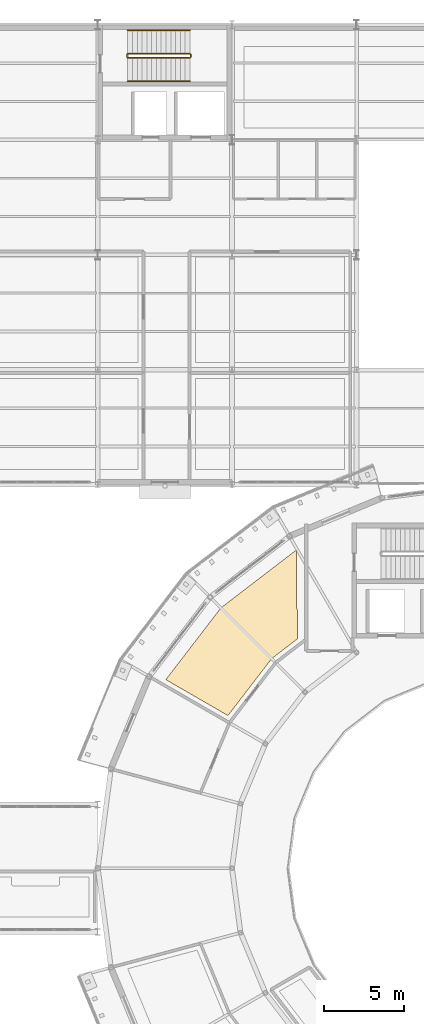
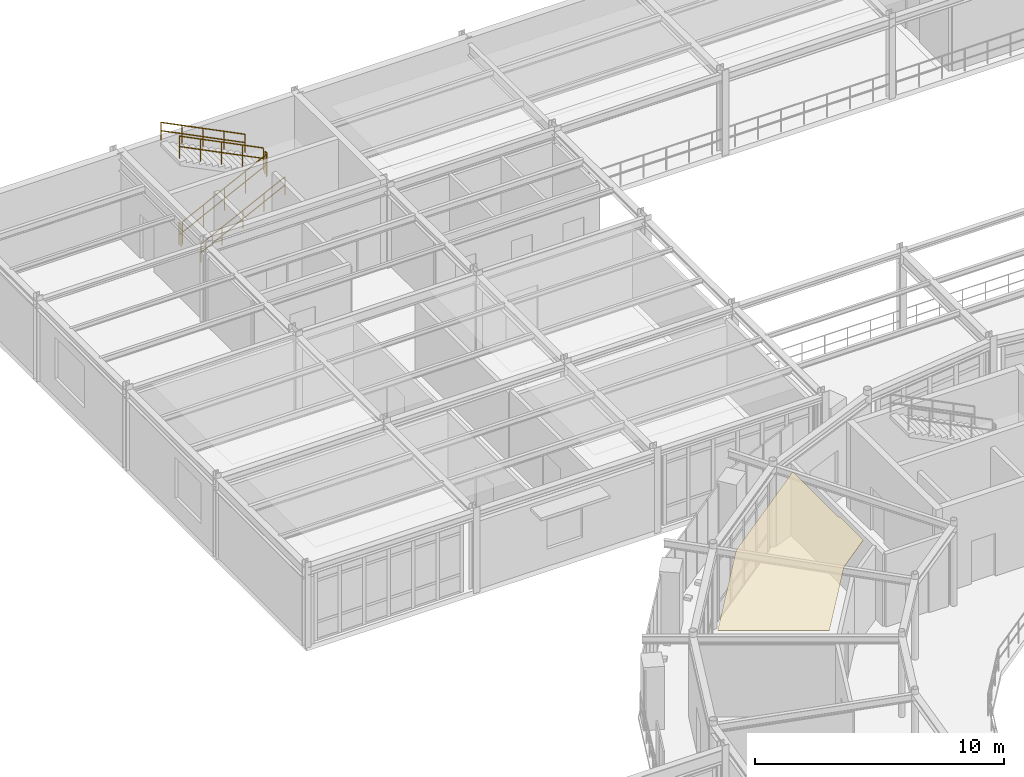
# One storey, part 86 of 90: 6 railings, 1 covering.
"""IFC4 building model written with IfcOpenShell, lengths in metres."""

import ifcopenshell
import ifcopenshell.guid

model = None  # the IFC model being written
_history = None  # IfcOwnerHistory: only IFC2X3 demands one
_inside = {}  # id of a spatial element -> (the spatial element, [elements in it])
_under = {}  # id of a project, library or spatial element -> (it, [spatial elements below it])
_declared = {}  # id of a project -> (the project, [libraries it declares])
_typed = {}  # id of a type object -> (the type object, [elements of that type])
_made_of = {}  # id of a material, layer set ... -> (it, [elements and type objects made of it])


def new_model(schema):
    """Start an empty IFC model of exactly this schema.

    Asked for "IFC4X3", IfcOpenShell would pick the latest addendum, in which some entities
    have other attributes; the version numbers below select the first issue.
    IFC2X3 requires an IfcOwnerHistory on every rooted entity: one is made here for all.
    """
    global model, _history
    if schema == "IFC4X3":
        model = ifcopenshell.file(schema_version=(4, 3, 0, 0))
    else:
        model = ifcopenshell.file(schema=schema)
    _inside.clear()
    _under.clear()
    _declared.clear()
    _typed.clear()
    _made_of.clear()
    _history = None
    if model.schema == "IFC2X3":
        org = make("IfcOrganization", Name="unknown")
        user = make(
            "IfcPersonAndOrganization",
            ThePerson=make("IfcPerson", FamilyName="unknown"),
            TheOrganization=org,
        )
        app = make(
            "IfcApplication",
            ApplicationDeveloper=org,
            Version="unknown",
            ApplicationFullName="unknown",
            ApplicationIdentifier="unknown",
        )
        _history = make(
            "IfcOwnerHistory",
            OwningUser=user,
            OwningApplication=app,
            ChangeAction="ADDED",
            CreationDate=0,
        )
    return model


def make(cls, **values):
    """One entity of the class cls with the attributes given. An attribute that is None is left unset."""
    return model.create_entity(
        cls, **{name: value for name, value in values.items() if value is not None}
    )


def rooted(cls, **values):
    """An entity with a GlobalId (a new one), such as an element, a storey or a relation."""
    return make(cls, GlobalId=ifcopenshell.guid.new(), OwnerHistory=_history, **values)


def si_unit(unit_type, name, prefix=None):
    """IfcSIUnit, for example si_unit("LENGTHUNIT", "METRE", prefix="MILLI")."""
    return make("IfcSIUnit", UnitType=unit_type, Prefix=prefix, Name=name)


def derived_unit(unit_type, elements):
    """IfcDerivedUnit: a product of units, each with its exponent."""
    return make(
        "IfcDerivedUnit",
        Elements=[
            make("IfcDerivedUnitElement", Unit=unit, Exponent=power)
            for unit, power in elements
        ],
        UnitType=unit_type,
    )


def assignment(units):
    """IfcUnitAssignment: the units of a project."""
    return None if units is None else make("IfcUnitAssignment", Units=units)


def point(xyz):
    """IfcCartesianPoint."""
    return None if xyz is None else make("IfcCartesianPoint", Coordinates=xyz)


def direction(xyz):
    """IfcDirection."""
    return None if xyz is None else make("IfcDirection", DirectionRatios=xyz)


def frame(location, z_axis=None, x_axis=None):
    """IfcAxis2Placement3D, a coordinate frame: its origin and axes. An axis left out is left unset."""
    return make(
        "IfcAxis2Placement3D",
        Location=point(location),
        Axis=direction(z_axis),
        RefDirection=direction(x_axis),
    )


def frame_2d(location, x_axis=None):
    """IfcAxis2Placement2D, a coordinate frame in the plane: its origin and x axis."""
    return make(
        "IfcAxis2Placement2D", Location=point(location), RefDirection=direction(x_axis)
    )


def origin():
    """The frame at (0, 0, 0) with its axes left unset."""
    return frame((0.0, 0.0, 0.0))


def origin_2d():
    """The frame at (0, 0) in the plane with its x axis left unset."""
    return frame_2d((0.0, 0.0))


def place(relative_to, where):
    """IfcLocalPlacement: puts the frame where relative to a parent placement (None: the world)."""
    return make(
        "IfcLocalPlacement", PlacementRelTo=relative_to, RelativePlacement=where
    )


def context(
    kind, dimensions, precision=None, world=None, true_north=None, identifier=None
):
    """IfcGeometricRepresentationContext, for example the 3D "Model" context."""
    return make(
        "IfcGeometricRepresentationContext",
        ContextIdentifier=identifier,
        ContextType=kind,
        CoordinateSpaceDimension=dimensions,
        Precision=precision,
        WorldCoordinateSystem=world,
        TrueNorth=true_north,
    )


def subcontext(parent, identifier, kind, view, scale=None):
    """IfcGeometricRepresentationSubContext, for example "Body" below "Model"."""
    return make(
        "IfcGeometricRepresentationSubContext",
        ContextIdentifier=identifier,
        ContextType=kind,
        ParentContext=parent,
        TargetScale=scale,
        TargetView=view,
    )


def project(units=None, contexts=None):
    """IfcProject with its units and contexts."""
    return rooted(
        "IfcProject",
        Name="project",
        RepresentationContexts=contexts,
        UnitsInContext=assignment(units),
    )


def spatial(cls, under=None, at=None, **own):
    """A site, building, storey or space (cls), placed at a placement, below another one or the project."""
    s = rooted(cls, ObjectPlacement=at, **own)
    if under is not None:
        _under.setdefault(under.id(), (under, []))[1].append(s)
    return s


def polyline(points):
    """IfcPolyline through the points."""
    return make("IfcPolyline", Points=[point(p) for p in points])


def profile(cls, at=None, kind="AREA", **sizes):
    """A parametric profile (cls). Its sizes go by their IFC names, for example OverallWidth=200.0."""
    return make(cls, ProfileType=kind, Position=at, **sizes)


def circle(**sizes):
    """IfcCircleProfileDef."""
    return profile("IfcCircleProfileDef", **sizes)


def outline(outer, holes=None, kind="AREA"):
    """IfcArbitraryClosedProfileDef: a profile drawn as a closed curve; with holes, ...WithVoids."""
    if holes is None:
        return make("IfcArbitraryClosedProfileDef", ProfileType=kind, OuterCurve=outer)
    return make(
        "IfcArbitraryProfileDefWithVoids",
        ProfileType=kind,
        OuterCurve=outer,
        InnerCurves=holes,
    )


def extrude(swept, where, along, depth):
    """IfcExtrudedAreaSolid: the profile swept, set in the frame where, extruded along a direction by depth."""
    return make(
        "IfcExtrudedAreaSolid",
        SweptArea=swept,
        Position=where,
        ExtrudedDirection=direction(along),
        Depth=depth,
    )


def shape(context_of_items, identifier, shape_type, items):
    """IfcShapeRepresentation: the items that make up one representation, for example the "Body"."""
    return make(
        "IfcShapeRepresentation",
        ContextOfItems=context_of_items,
        RepresentationIdentifier=identifier,
        RepresentationType=shape_type,
        Items=items,
    )


def material(Name=None, Category=None):
    """IfcMaterial."""
    return make("IfcMaterial", Name=Name, Category=Category)


def layer(
    of_material, thickness, ventilated=None, Name=None, Category=None, Priority=None
):
    """IfcMaterialLayer: one layer of a wall or slab, of a material (None: an air gap)."""
    return make(
        "IfcMaterialLayer",
        Material=of_material,
        LayerThickness=thickness,
        IsVentilated=ventilated,
        Name=Name,
        Category=Category,
        Priority=Priority,
    )


def layer_set(layers, Name=None):
    """IfcMaterialLayerSet."""
    return make("IfcMaterialLayerSet", MaterialLayers=layers, LayerSetName=Name)


def made_of(thing, what):
    """Note that an element or type object is made of a material, layer set ...; save() writes the relation."""
    if what is not None:
        _made_of.setdefault(what.id(), (what, []))[1].append(thing)
    return thing


def type_object(cls, material=None, **own):
    """A type object (cls), such as IfcWallType, which elements share."""
    return made_of(rooted(cls, **own), material)


def element(
    cls,
    number,
    at=None,
    inside=None,
    cuts=None,
    type_object=None,
    material=None,
    context=None,
    identifier="Body",
    shape_type=None,
    held_by="IfcProductDefinitionShape",
    body=None,
    shapes=None,
    **own,
):
    """One element of the class cls, such as IfcWall. Its Tag is "e" and its number.

    at: its placement. inside: the storey or other place that contains it. cuts: it is an
    opening in that element (IfcRelVoidsElement). A single representation is given by context,
    identifier, shape_type and body (its items); several are given by shapes. held_by: the class
    of the entity that holds the representations. save() writes the other relations.
    """
    e = rooted(cls, Tag="e%d" % number, ObjectPlacement=at, **own)
    if body is not None:
        shapes = [shape(context, identifier, shape_type, body)]
    if shapes is not None:
        e.Representation = make(held_by, Representations=shapes)
    if inside is not None:
        _inside.setdefault(inside.id(), (inside, []))[1].append(e)
    if cuts is not None:
        rooted(
            "IfcRelVoidsElement", RelatingBuildingElement=cuts, RelatedOpeningElement=e
        )
    if type_object is not None:
        _typed.setdefault(type_object.id(), (type_object, []))[1].append(e)
    return made_of(e, material)


def aggregate(whole, parts):
    """IfcRelAggregates: a whole, such as a stair, and the parts it consists of."""
    return rooted("IfcRelAggregates", RelatingObject=whole, RelatedObjects=parts)


def save(model, path):
    """Write the relations noted so far, then the file.

    IfcRelAggregates (storeys below a building ...), IfcRelContainedInSpatialStructure (elements
    in a storey), IfcRelDefinesByType, IfcRelAssociatesMaterial and IfcRelDeclares: one each for
    every whole, place, type object, material and project.
    """
    for whole, parts in _under.values():
        aggregate(whole, parts)
    for where, things in _inside.values():
        rooted(
            "IfcRelContainedInSpatialStructure",
            RelatedElements=things,
            RelatingStructure=where,
        )
    for kind, things in _typed.values():
        rooted("IfcRelDefinesByType", RelatedObjects=things, RelatingType=kind)
    for what, things in _made_of.values():
        rooted("IfcRelAssociatesMaterial", RelatedObjects=things, RelatingMaterial=what)
    for by, libraries in _declared.values():
        rooted("IfcRelDeclares", RelatingContext=by, RelatedDefinitions=libraries)
    model.write(path)


model = new_model("IFC4")

# Units and contexts
model_context = context("Model", 3, precision=1e-05, world=origin(), true_north=direction((0.0, 1.0)))
body_context = subcontext(model_context, "Body", "Model", "MODEL_VIEW")
ifc_project = project(units=[si_unit("LENGTHUNIT", "METRE"), si_unit("AREAUNIT", "SQUARE_METRE"), si_unit("VOLUMEUNIT", "CUBIC_METRE"), si_unit("PLANEANGLEUNIT", "RADIAN"), si_unit("MASSUNIT", "GRAM", prefix="KILO"), derived_unit("THERMALTRANSMITTANCEUNIT", [(si_unit("POWERUNIT", "WATT"), 1), (si_unit("AREAUNIT", "SQUARE_METRE"), -1), (si_unit("THERMODYNAMICTEMPERATUREUNIT", "KELVIN"), -1)])], contexts=[model_context])

# Site, building, storey
site_placement = place(None, origin())
site = spatial("IfcSite", under=ifc_project, at=site_placement, CompositionType="ELEMENT")
building_placement = place(site_placement, origin())
building = spatial("IfcBuilding", under=site, at=building_placement, Name="Yasenodar Specialist Clinic", CompositionType="ELEMENT")
storey_placement = place(building_placement, frame((0.0, 0.0, 9.0)))
storey = spatial("IfcBuildingStorey", under=building, at=storey_placement, Name="L02", CompositionType="ELEMENT", Elevation=9.0)

# Covering
ifc_material_1 = material(Name="Hygienic Acoustic Mineral-Fibre Ceiling")
ifc_layer = layer(ifc_material_1, 0.02490234375)
ifc_layer_set = layer_set([ifc_layer], Name="Hygienic Acoustic Mineral-Fibre Ceiling")
covering_type = type_object("IfcCoveringType", Name="COV-CEIL-AC", PredefinedType="CEILING", material=ifc_layer_set)
covering_placement = place(storey_placement, frame((0.0, 0.0, 3.925048828125)))
element("IfcCovering", 1, at=covering_placement, inside=storey, type_object=covering_type, Name="L02 Pain Management Infusion Suite Acoustic Ceiling", PredefinedType="CEILING", context=body_context, shape_type="SweptSolid", body=[
    extrude(outline(polyline([(67.873046875, 71.906005859375), (67.85302734375, 71.882080078125), (65.14697265625, 68.35693359375), (61.256103515625, 70.60400390625), (64.702880859375, 75.096923828125), (69.429931640625, 78.72412109375), (69.429931640625, 75.179931640625), (69.431884765625, 75.14599609375), (69.43701171875, 75.112060546875), (69.445068359375, 75.077880859375), (69.45703125, 75.0458984375), (69.470947265625, 75.014892578125), (69.489013671875, 74.986083984375), (69.5, 74.970947265625), (69.5, 73.160888671875), (67.91796875, 71.947021484375), (67.89404296875, 71.927001953125), (67.873046875, 71.906005859375)])), origin(), (0.0, 0.0, 1.0), 0.02490234375),
])

# Railings
ifc_material_2 = material(Name="Steel S355 Painted Stair Guardrail", Category="steel")
railing_type_1 = type_object("IfcRailingType", Name="RL-ST-GRD", PredefinedType="GUARDRAIL", material=ifc_material_2)
railing_1_placement = place(storey_placement, frame((58.8701171875, 109.530029296875, 0.14990234375)))
element("IfcRailing", 2, at=railing_1_placement, inside=storey, type_object=railing_type_1, Name="L02 ST-04 stair guard 1", PredefinedType="GUARDRAIL", context=body_context, shape_type="SweptSolid", body=[
    extrude(circle(Radius=0.02392578125, at=origin_2d()), frame((0.0, 0.0, 1.09619140625), z_axis=(0.894404793364, 0.0, 0.447258387967), x_axis=(0.0, 1.0, 0.0)), (0.0, 0.0, 1.0), 4.3603515625),
    extrude(circle(Radius=0.02392578125, at=origin_2d()), frame((0.0, 0.0, 0.58251953125), z_axis=(0.894404793364, 0.0, 0.447258387967), x_axis=(0.0, 1.0, 0.0)), (0.0, 0.0, 1.0), 4.3603515625),
    extrude(circle(Radius=0.02099609375, at=origin_2d()), origin(), (0.0, 0.0, 1.0), 1.072021484375),
    extrude(circle(Radius=0.02099609375, at=origin_2d()), frame((0.97509765625, 0.0, 0.487548828125)), (0.0, 0.0, 1.0), 1.072021484375),
    extrude(circle(Radius=0.02099609375, at=origin_2d()), frame((1.949951171875, 0.0, 0.97509765625)), (0.0, 0.0, 1.0), 1.072021484375),
    extrude(circle(Radius=0.02099609375, at=origin_2d()), frame((2.9248046875, 0.0, 1.462646484375)), (0.0, 0.0, 1.0), 1.072021484375),
    extrude(circle(Radius=0.02099609375, at=origin_2d()), frame((3.89990234375, 0.0, 1.9501953125)), (0.0, 0.0, 1.0), 1.072021484375),
])
railing_2_placement = place(storey_placement, frame((62.820068359375, 109.580078125, 2.10009765625)))
element("IfcRailing", 3, at=railing_2_placement, inside=storey, type_object=railing_type_1, Name="L02 ST-04 stair guard 2", PredefinedType="GUARDRAIL", context=body_context, shape_type="SweptSolid", body=[
    extrude(circle(Radius=0.02392578125, at=origin_2d()), frame((0.0, 0.0, 1.09619140625), z_axis=(0.0, 1.0, 0.0), x_axis=(-1.0, 0.0, 0.0)), (0.0, 0.0, 1.0), 0.159912109375),
    extrude(circle(Radius=0.02392578125, at=origin_2d()), frame((0.0, 0.0, 0.58251953125), z_axis=(0.0, 1.0, 0.0), x_axis=(-1.0, 0.0, 0.0)), (0.0, 0.0, 1.0), 0.159912109375),
    extrude(circle(Radius=0.02099609375, at=origin_2d()), origin(), (0.0, 0.0, 1.0), 1.072021484375),
    extrude(circle(Radius=0.02099609375, at=origin_2d()), frame((0.0, 0.159912109375, 0.0)), (0.0, 0.0, 1.0), 1.072021484375),
])
railing_3_placement = place(storey_placement, frame((62.77001953125, 109.7900390625, 2.25)))
element("IfcRailing", 4, at=railing_3_placement, inside=storey, type_object=railing_type_1, Name="L02 ST-04 stair guard 3", PredefinedType="GUARDRAIL", context=body_context, shape_type="SweptSolid", body=[
    extrude(circle(Radius=0.02392578125, at=origin_2d()), frame((0.0, 0.0, 1.09619140625), z_axis=(-0.894427191, 0.0, 0.4472135955), x_axis=(0.0, -1.0, 0.0)), (0.0, 0.0, 1.0), 4.360107421875),
    extrude(circle(Radius=0.02392578125, at=origin_2d()), frame((0.0, 0.0, 0.58251953125), z_axis=(-0.894427191, 0.0, 0.4472135955), x_axis=(0.0, -1.0, 0.0)), (0.0, 0.0, 1.0), 4.360107421875),
    extrude(circle(Radius=0.02099609375, at=origin_2d()), origin(), (0.0, 0.0, 1.0), 1.072021484375),
    extrude(circle(Radius=0.02099609375, at=origin_2d()), frame((-0.97509765625, 0.0, 0.487548828125)), (0.0, 0.0, 1.0), 1.072021484375),
    extrude(circle(Radius=0.02099609375, at=origin_2d()), frame((-1.949951171875, 0.0, 0.97509765625)), (0.0, 0.0, 1.0), 1.072021484375),
    extrude(circle(Radius=0.02099609375, at=origin_2d()), frame((-2.9248046875, 0.0, 1.46240234375)), (0.0, 0.0, 1.0), 1.072021484375),
    extrude(circle(Radius=0.02099609375, at=origin_2d()), frame((-3.89990234375, 0.0, 1.949951171875)), (0.0, 0.0, 1.0), 1.072021484375),
])
railing_4_placement = place(storey_placement, frame((58.820068359375, 109.580078125, 0.0)))
element("IfcRailing", 5, at=railing_4_placement, inside=storey, type_object=railing_type_1, Name="L02 ST-04 stair guard 4", PredefinedType="GUARDRAIL", context=body_context, shape_type="SweptSolid", body=[
    extrude(circle(Radius=0.02392578125, at=origin_2d()), frame((0.0, 0.0, 1.09619140625), z_axis=(0.0, 1.0, 0.0), x_axis=(-1.0, 0.0, 0.0)), (0.0, 0.0, 1.0), 0.159912109375),
    extrude(circle(Radius=0.02392578125, at=origin_2d()), frame((0.0, 0.0, 0.58251953125), z_axis=(0.0, 1.0, 0.0), x_axis=(-1.0, 0.0, 0.0)), (0.0, 0.0, 1.0), 0.159912109375),
    extrude(circle(Radius=0.02099609375, at=origin_2d()), origin(), (0.0, 0.0, 1.0), 1.072021484375),
    extrude(circle(Radius=0.02099609375, at=origin_2d()), frame((0.0, 0.159912109375, 0.0)), (0.0, 0.0, 1.0), 1.072021484375),
])
ifc_material_3 = material(Name="Brushed Stainless Steel Handrail", Category="steel")
railing_type_2 = type_object("IfcRailingType", Name="RL-ST-HND", PredefinedType="HANDRAIL", material=ifc_material_3)
railing_5_placement = place(storey_placement, frame((58.8701171875, 108.06005859375, 0.14990234375)))
element("IfcRailing", 6, at=railing_5_placement, inside=storey, type_object=railing_type_2, Name="L02 ST-04 stair handrail 1", PredefinedType="HANDRAIL", context=body_context, shape_type="SweptSolid", body=[
    extrude(circle(Radius=0.02392578125, at=origin_2d()), frame((0.0, 0.0, 0.8759765625), z_axis=(0.894404793364, 0.0, 0.447258387967), x_axis=(0.0, 1.0, 0.0)), (0.0, 0.0, 1.0), 4.3603515625),
    extrude(circle(Radius=0.02392578125, at=origin_2d()), frame((0.0, 0.0, 0.468017578125), z_axis=(0.894404793364, 0.0, 0.447258387967), x_axis=(0.0, 1.0, 0.0)), (0.0, 0.0, 1.0), 4.3603515625),
    extrude(circle(Radius=0.02099609375, at=origin_2d()), origin(), (0.0, 0.0, 1.0), 0.851806640625),
    extrude(circle(Radius=0.02099609375, at=origin_2d()), frame((0.97509765625, 0.0, 0.487548828125)), (0.0, 0.0, 1.0), 0.851806640625),
    extrude(circle(Radius=0.02099609375, at=origin_2d()), frame((1.949951171875, 0.0, 0.97509765625)), (0.0, 0.0, 1.0), 0.851806640625),
    extrude(circle(Radius=0.02099609375, at=origin_2d()), frame((2.9248046875, 0.0, 1.462646484375)), (0.0, 0.0, 1.0), 0.851806640625),
    extrude(circle(Radius=0.02099609375, at=origin_2d()), frame((3.89990234375, 0.0, 1.9501953125)), (0.0, 0.0, 1.0), 0.851806640625),
])
railing_6_placement = place(storey_placement, frame((62.77001953125, 111.260009765625, 2.25)))
element("IfcRailing", 7, at=railing_6_placement, inside=storey, type_object=railing_type_2, Name="L02 ST-04 stair handrail 2", PredefinedType="HANDRAIL", context=body_context, shape_type="SweptSolid", body=[
    extrude(circle(Radius=0.02392578125, at=origin_2d()), frame((0.0, 0.0, 0.8759765625), z_axis=(-0.894427191, 0.0, 0.4472135955), x_axis=(0.0, -1.0, 0.0)), (0.0, 0.0, 1.0), 4.360107421875),
    extrude(circle(Radius=0.02392578125, at=origin_2d()), frame((0.0, 0.0, 0.468017578125), z_axis=(-0.894427191, 0.0, 0.4472135955), x_axis=(0.0, -1.0, 0.0)), (0.0, 0.0, 1.0), 4.360107421875),
    extrude(circle(Radius=0.02099609375, at=origin_2d()), origin(), (0.0, 0.0, 1.0), 0.851806640625),
    extrude(circle(Radius=0.02099609375, at=origin_2d()), frame((-0.97509765625, 0.0, 0.487548828125)), (0.0, 0.0, 1.0), 0.851806640625),
    extrude(circle(Radius=0.02099609375, at=origin_2d()), frame((-1.949951171875, 0.0, 0.97509765625)), (0.0, 0.0, 1.0), 0.851806640625),
    extrude(circle(Radius=0.02099609375, at=origin_2d()), frame((-2.9248046875, 0.0, 1.46240234375)), (0.0, 0.0, 1.0), 0.851806640625),
    extrude(circle(Radius=0.02099609375, at=origin_2d()), frame((-3.89990234375, 0.0, 1.949951171875)), (0.0, 0.0, 1.0), 0.851806640625),
])

save(model, "model.ifc")
